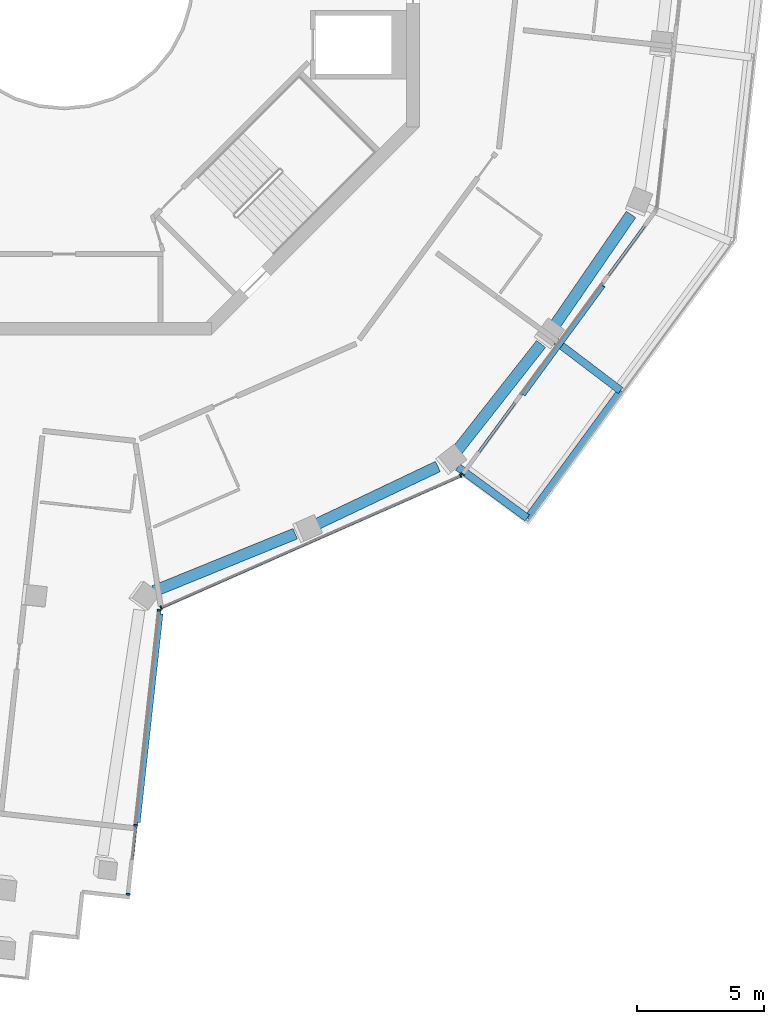
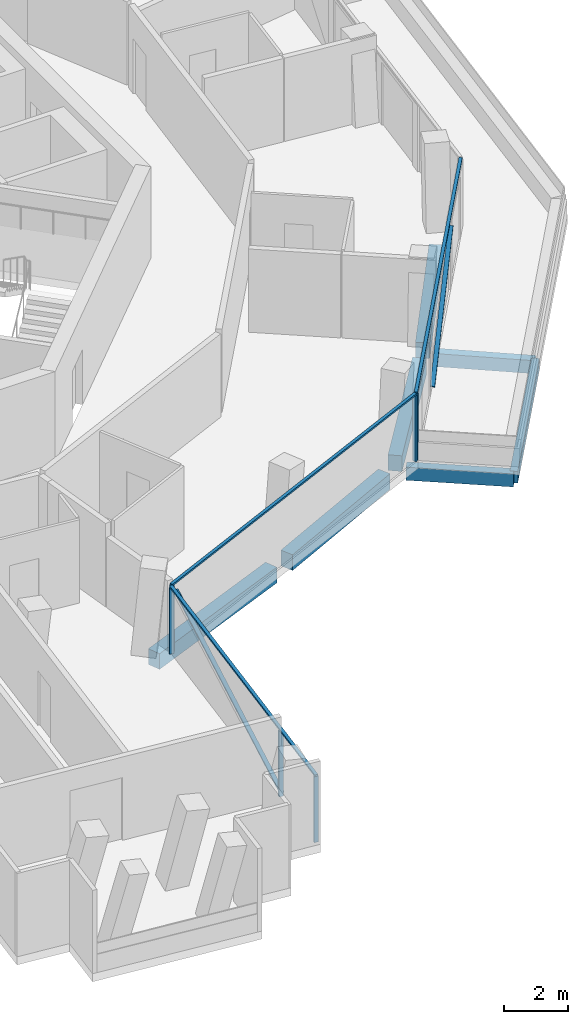
# One storey, part 4 of 22: 11 members, 7 beams, 3 elements without a shape of their own.
"""IFC4 building model written with IfcOpenShell, lengths in metres."""

from ifc_helpers import new_model, si_unit, direction, frame, origin, origin_2d, place, context, subcontext, project, spatial, rectangle, extrude, material, layer, layer_set, material_profile, profile_set, type_object, element, aggregate, save


model = new_model("IFC4")

# Units and contexts
model_context = context("Model", 3, precision=1e-05, world=origin(), true_north=direction((0.0, 1.0)))
body_context = subcontext(model_context, "Body", "Model", "MODEL_VIEW")
ifc_project = project(units=[si_unit("LENGTHUNIT", "METRE"), si_unit("AREAUNIT", "SQUARE_METRE"), si_unit("VOLUMEUNIT", "CUBIC_METRE"), si_unit("PLANEANGLEUNIT", "RADIAN"), si_unit("MASSUNIT", "GRAM", prefix="KILO")], contexts=[model_context])

# Site, building, storey
site_placement = place(None, origin())
site = spatial("IfcSite", under=ifc_project, at=site_placement, CompositionType="ELEMENT")
building_placement = place(site_placement, origin())
building = spatial("IfcBuilding", under=site, at=building_placement, Name="Verdalira Terraces Hotel", CompositionType="ELEMENT")
storey_placement = place(building_placement, frame((0.0, 0.0, 252.5)))
storey = spatial("IfcBuildingStorey", under=building, at=storey_placement, Name="L62", CompositionType="ELEMENT", Elevation=252.5)

# Beams
ifc_material_1 = material(Name="Concrete C40", Category="concrete")
ifc_material_profile_1 = material_profile(ifc_material_1, rectangle(XDim=0.300049, YDim=0.5, at=origin_2d()), Name="RC 300X500")
ifc_profile_set_1 = profile_set([ifc_material_profile_1], Name="Concrete C40")
beam_type_1 = type_object("IfcBeamType", Name="Balcony cantilever beam RC 300X500 C40", PredefinedType="BEAM", material=ifc_profile_set_1)
beam_1_placement = place(storey_placement, frame((15.517822, -19.200684, -0.560059), z_axis=(0.806542278, -0.591176415, 0.0), x_axis=(0.591176415, 0.806542278, 0.0)))
element("IfcBeam", 1, at=beam_1_placement, inside=storey, type_object=beam_type_1, Name="Balcony cantilever beam R26-1", PredefinedType="BEAM", context=body_context, shape_type="SweptSolid", body=[
    extrude(rectangle(XDim=0.300049, YDim=0.5, at=origin_2d()), origin(), (0.0, 0.0, 1.0), 3.391846),
])
beam_2_placement = place(storey_placement, frame((19.383789, -14.249756, -0.560059), z_axis=(0.796517739, -0.60461516, 0.0), x_axis=(0.60461516, 0.796517739, 0.0)))
element("IfcBeam", 2, at=beam_2_placement, inside=storey, type_object=beam_type_1, Name="Balcony cantilever beam R26-2", PredefinedType="BEAM", context=body_context, shape_type="SweptSolid", body=[
    extrude(rectangle(XDim=0.300049, YDim=0.5, at=origin_2d()), origin(), (0.0, 0.0, 1.0), 3.200928),
])
ifc_material_2 = material(Name="Concrete C40", Category="concrete")
ifc_material_profile_2 = material_profile(ifc_material_2, rectangle(XDim=0.25, YDim=0.449951, at=origin_2d()), Name="RC 250X450")
ifc_profile_set_2 = profile_set([ifc_material_profile_2], Name="Concrete C40")
beam_type_2 = type_object("IfcBeamType", Name="Balcony edge beam RC 250X450 C40", PredefinedType="BEAM", material=ifc_profile_set_2)
beam_3_placement = place(storey_placement, frame((18.253418, -21.205811, -0.534912), z_axis=(0.591159611, 0.806554595, 0.0), x_axis=(-0.806554595, 0.591159611, 0.0)))
element("IfcBeam", 3, at=beam_3_placement, inside=storey, type_object=beam_type_2, Name="Balcony edge beam R26-1", PredefinedType="BEAM", context=body_context, shape_type="SweptSolid", body=[
    extrude(rectangle(XDim=0.25, YDim=0.449951, at=origin_2d()), origin(), (0.0, 0.0, 1.0), 6.224854),
])

# Curtain wall, members
ifc_material_3 = material(Name="Clear glass", Category="glass")
ifc_layer_1 = layer(ifc_material_3, 0.14990234375)
ifc_layer_set_1 = layer_set([ifc_layer_1], Name="CW1 curtain wall")
curtain_wall_type_1 = type_object("IfcCurtainWallType", Name="CW1 curtain wall", PredefinedType="NOTDEFINED", material=ifc_layer_set_1)
curtain_wall_1_placement = place(storey_placement, origin())
curtain_wall_1 = element("IfcCurtainWall", 4, at=curtain_wall_1_placement, inside=storey, type_object=curtain_wall_type_1, Name="CW1 curtain wall L62 edge 25", PredefinedType="NOTDEFINED")
ifc_material_4 = material(Name="Terracotta frame", Category="masonry")
ifc_material_profile_3 = material_profile(ifc_material_4, rectangle(XDim=0.060059, YDim=0.149902, at=origin_2d()), Name="MU 60x150")
ifc_profile_set_3 = profile_set([ifc_material_profile_3], Name="Terracotta frame")
member_type_1 = type_object("IfcMemberType", Name="CW1 mullion 60x150", PredefinedType="MULLION", material=ifc_profile_set_3)
member_1_placement = place(storey_placement, frame((3.822021, -24.740479, 0.0), z_axis=(0.0, 0.0, 1.0), x_axis=(0.915241173, 0.402906436, 0.0)))
member_1 = element("IfcMember", 5, at=member_1_placement, type_object=member_type_1, Name="CW1 mullion", PredefinedType="MULLION", context=body_context, shape_type="SweptSolid", body=[
    extrude(rectangle(XDim=0.060059, YDim=0.149902, at=origin_2d()), origin(), (0.0, 0.0, 1.0), 2.524902),
])
member_2_placement = place(storey_placement, frame((15.628418, -19.542969, 0.0), z_axis=(0.0, 0.0, 1.0), x_axis=(0.915241173, 0.402906436, 0.0)))
member_2 = element("IfcMember", 6, at=member_2_placement, type_object=member_type_1, Name="CW1 mullion", PredefinedType="MULLION", context=body_context, shape_type="SweptSolid", body=[
    extrude(rectangle(XDim=0.060059, YDim=0.149902, at=origin_2d()), origin(), (0.0, 0.0, 1.0), 2.524902),
])

# Curtain wall, member
curtain_wall_2_placement = place(storey_placement, origin())
curtain_wall_2 = element("IfcCurtainWall", 7, at=curtain_wall_2_placement, inside=storey, type_object=curtain_wall_type_1, Name="CW1 curtain wall L62 edge 26", PredefinedType="NOTDEFINED")
member_3_placement = place(storey_placement, frame((15.703857, -19.482422, 0.0), z_axis=(0.0, 0.0, 1.0), x_axis=(0.591168888, 0.806547795, 0.0)))
member_3 = element("IfcMember", 8, at=member_3_placement, type_object=member_type_1, Name="CW1 mullion", PredefinedType="MULLION", context=body_context, shape_type="SweptSolid", body=[
    extrude(rectangle(XDim=0.060059, YDim=0.149902, at=origin_2d()), origin(), (0.0, 0.0, 1.0), 2.524902),
])

# Member
ifc_material_5 = material(Name="Terracotta frame", Category="masonry")
ifc_material_profile_4 = material_profile(ifc_material_5, rectangle(XDim=0.110107, YDim=0.064941, at=origin_2d()), Name="TR 65x110")
ifc_profile_set_4 = profile_set([ifc_material_profile_4], Name="Terracotta frame")
member_type_2 = type_object("IfcMemberType", Name="CW1 transom 65x110", PredefinedType="USERDEFINED", material=ifc_profile_set_4)
member_4_placement = place(storey_placement, frame((3.794434, -24.752441, 2.557617), z_axis=(0.915241408, 0.402905902, 0.0), x_axis=(-0.402905902, 0.915241408, 0.0)))
member_4 = element("IfcMember", 9, at=member_4_placement, type_object=member_type_2, Name="CW1 transom", ObjectType="TRANSOM", PredefinedType="USERDEFINED", context=body_context, shape_type="SweptSolid", body=[
    extrude(rectangle(XDim=0.110107, YDim=0.064941, at=origin_2d()), origin(), (0.0, 0.0, 1.0), 12.959961),
])

aggregate(curtain_wall_1, [member_1, member_2, member_4])

member_5_placement = place(storey_placement, frame((15.686279, -19.506592, 2.557617), z_axis=(0.591153101, 0.806559366, 0.0), x_axis=(-0.806559366, 0.591153101, 0.0)))
member_5 = element("IfcMember", 10, at=member_5_placement, type_object=member_type_2, Name="CW1 transom", ObjectType="TRANSOM", PredefinedType="USERDEFINED", context=body_context, shape_type="SweptSolid", body=[
    extrude(rectangle(XDim=0.110107, YDim=0.064941, at=origin_2d()), origin(), (0.0, 0.0, 1.0), 12.919678),
])

# Curtain wall, members
ifc_material_6 = material(Name="Clear glass", Category="glass")
ifc_layer_2 = layer(ifc_material_6, 0.14990234375)
ifc_layer_set_2 = layer_set([ifc_layer_2], Name="CW2 curtain wall")
curtain_wall_type_2 = type_object("IfcCurtainWallType", Name="CW2 curtain wall", PredefinedType="NOTDEFINED", material=ifc_layer_set_2)
curtain_wall_3_placement = place(storey_placement, origin())
curtain_wall_3 = element("IfcCurtainWall", 11, at=curtain_wall_3_placement, inside=storey, type_object=curtain_wall_type_2, Name="CW2 curtain wall L62 edge 24", PredefinedType="NOTDEFINED")
ifc_material_7 = material(Name="Terracotta frame", Category="masonry")
ifc_material_profile_5 = material_profile(ifc_material_7, rectangle(XDim=0.070068, YDim=0.149902, at=origin_2d()), Name="MU 70x150")
ifc_profile_set_5 = profile_set([ifc_material_profile_5], Name="Terracotta frame")
member_type_3 = type_object("IfcMemberType", Name="CW2 mullion 70x150", PredefinedType="MULLION", material=ifc_profile_set_5)
member_6_placement = place(storey_placement, frame((2.522949, -36.037842, 0.0), z_axis=(0.0, 0.0, 1.0), x_axis=(0.108693378, 0.994075324, 0.0)))
member_6 = element("IfcMember", 12, at=member_6_placement, type_object=member_type_3, Name="CW2 mullion", PredefinedType="MULLION", context=body_context, shape_type="SweptSolid", body=[
    extrude(rectangle(XDim=0.070068, YDim=0.149902, at=origin_2d()), origin(), (0.0, 0.0, 1.0), 2.524902),
])
member_7_placement = place(storey_placement, frame((2.820068, -33.319092, 0.0), z_axis=(0.0, 0.0, 1.0), x_axis=(0.108693378, 0.994075324, 0.0)))
member_7 = element("IfcMember", 13, at=member_7_placement, type_object=member_type_3, Name="CW2 mullion", PredefinedType="MULLION", context=body_context, shape_type="SweptSolid", body=[
    extrude(rectangle(XDim=0.070068, YDim=0.149902, at=origin_2d()), origin(), (0.0, 0.0, 1.0), 2.524902),
])
member_8_placement = place(storey_placement, frame((3.746338, -24.847656, 0.0), z_axis=(0.0, 0.0, 1.0), x_axis=(0.108693378, 0.994075324, 0.0)))
member_8 = element("IfcMember", 14, at=member_8_placement, type_object=member_type_3, Name="CW2 mullion", PredefinedType="MULLION", context=body_context, shape_type="SweptSolid", body=[
    extrude(rectangle(XDim=0.070068, YDim=0.149902, at=origin_2d()), origin(), (0.0, 0.0, 1.0), 2.524902),
])
ifc_material_8 = material(Name="Terracotta frame", Category="masonry")
ifc_material_profile_6 = material_profile(ifc_material_8, rectangle(XDim=0.11499, YDim=0.064941, at=origin_2d()), Name="TR 65x115")
ifc_profile_set_6 = profile_set([ifc_material_profile_6], Name="Terracotta frame")
member_type_4 = type_object("IfcMemberType", Name="CW2 transom 65x115", PredefinedType="USERDEFINED", material=ifc_profile_set_6)
member_9_placement = place(storey_placement, frame((2.519043, -36.072754, 2.557617), z_axis=(0.108697305, 0.994074895, 0.0), x_axis=(-0.994074895, 0.108697305, 0.0)))
member_9 = element("IfcMember", 15, at=member_9_placement, type_object=member_type_4, Name="CW2 transom", ObjectType="TRANSOM", PredefinedType="USERDEFINED", context=body_context, shape_type="SweptSolid", body=[
    extrude(rectangle(XDim=0.11499, YDim=0.064941, at=origin_2d()), origin(), (0.0, 0.0, 1.0), 11.326904),
])
ifc_material_9 = material(Name="Terracotta frame", Category="masonry")
ifc_material_profile_7 = material_profile(ifc_material_9, rectangle(XDim=0.149902, YDim=0.060059, at=origin_2d()), Name="GB 60x150")
ifc_profile_set_7 = profile_set([ifc_material_profile_7], Name="Terracotta frame")
member_type_5 = type_object("IfcMemberType", Name="Diagonal glazing bar 60x150", PredefinedType="USERDEFINED", material=ifc_profile_set_7)
member_10_placement = place(storey_placement, frame((2.925049, -33.196533, 0.029297), z_axis=(0.104162129, 0.952477095, 0.286247505), x_axis=(-0.99407339, 0.108711066, 0.0)))
member_10 = element("IfcMember", 16, at=member_10_placement, type_object=member_type_5, Name="Diagonal glazing bar", ObjectType="GLAZING BAR", PredefinedType="USERDEFINED", context=body_context, shape_type="SweptSolid", body=[
    extrude(rectangle(XDim=0.149902, YDim=0.060059, at=origin_2d()), origin(), (0.0, 0.0, 1.0), 8.615967),
])
aggregate(curtain_wall_3, [member_6, member_7, member_8, member_9, member_10])

# Member
member_11_placement = place(storey_placement, frame((18.112793, -16.346436, 0.028076), z_axis=(0.536086027, 0.73139773, 0.421508163), x_axis=(-0.806548173, 0.591168373, 0.0)))
member_11 = element("IfcMember", 17, at=member_11_placement, type_object=member_type_5, Name="Diagonal glazing bar", ObjectType="GLAZING BAR", PredefinedType="USERDEFINED", context=body_context, shape_type="SweptSolid", body=[
    extrude(rectangle(XDim=0.149902, YDim=0.060059, at=origin_2d()), origin(), (0.0, 0.0, 1.0), 5.857422),
])

aggregate(curtain_wall_2, [member_3, member_5, member_11])

# Beams
ifc_material_10 = material(Name="Concrete C40", Category="concrete")
ifc_material_profile_8 = material_profile(ifc_material_10, rectangle(XDim=0.449951, YDim=0.600098, at=origin_2d()), Name="RC 450X600")
ifc_profile_set_8 = profile_set([ifc_material_profile_8], Name="Concrete C40")
beam_type_3 = type_object("IfcBeamType", Name="Spandrel beam RC 450X600 C40", PredefinedType="SPANDREL", material=ifc_profile_set_8)
beam_4_placement = place(storey_placement, frame((3.550781, -24.088623, -0.610107), z_axis=(0.926226058, 0.376968553, 0.0), x_axis=(-0.376968553, 0.926226058, 0.0)))
element("IfcBeam", 18, at=beam_4_placement, inside=storey, type_object=beam_type_3, Name="Spandrel beam B11", PredefinedType="SPANDREL", context=body_context, shape_type="SweptSolid", body=[
    extrude(rectangle(XDim=0.449951, YDim=0.600098, at=origin_2d()), origin(), (0.0, 0.0, 1.0), 5.999756),
])
beam_5_placement = place(storey_placement, frame((9.860107, -21.494629, -0.610107), z_axis=(0.902956702, 0.429731537, 0.0), x_axis=(-0.429731537, 0.902956702, 0.0)))
element("IfcBeam", 19, at=beam_5_placement, inside=storey, type_object=beam_type_3, Name="Spandrel beam B12", PredefinedType="SPANDREL", context=body_context, shape_type="SweptSolid", body=[
    extrude(rectangle(XDim=0.449951, YDim=0.600098, at=origin_2d()), origin(), (0.0, 0.0, 1.0), 5.394287),
])
beam_6_placement = place(storey_placement, frame((15.460938, -18.590576, -0.610107), z_axis=(0.618296925, 0.785944599, 0.0), x_axis=(-0.785944599, 0.618296925, 0.0)))
element("IfcBeam", 20, at=beam_6_placement, inside=storey, type_object=beam_type_3, Name="Spandrel beam B13", PredefinedType="SPANDREL", context=body_context, shape_type="SweptSolid", body=[
    extrude(rectangle(XDim=0.449951, YDim=0.600098, at=origin_2d()), origin(), (0.0, 0.0, 1.0), 5.396973),
])
beam_7_placement = place(storey_placement, frame((19.286621, -13.684814, -0.610107), z_axis=(0.56708764, 0.823657458, 0.0), x_axis=(-0.823657458, 0.56708764, 0.0)))
element("IfcBeam", 21, at=beam_7_placement, inside=storey, type_object=beam_type_3, Name="Spandrel beam B14", PredefinedType="SPANDREL", context=body_context, shape_type="SweptSolid", body=[
    extrude(rectangle(XDim=0.449951, YDim=0.600098, at=origin_2d()), origin(), (0.0, 0.0, 1.0), 5.394287),
])

save(model, "model.ifc")
